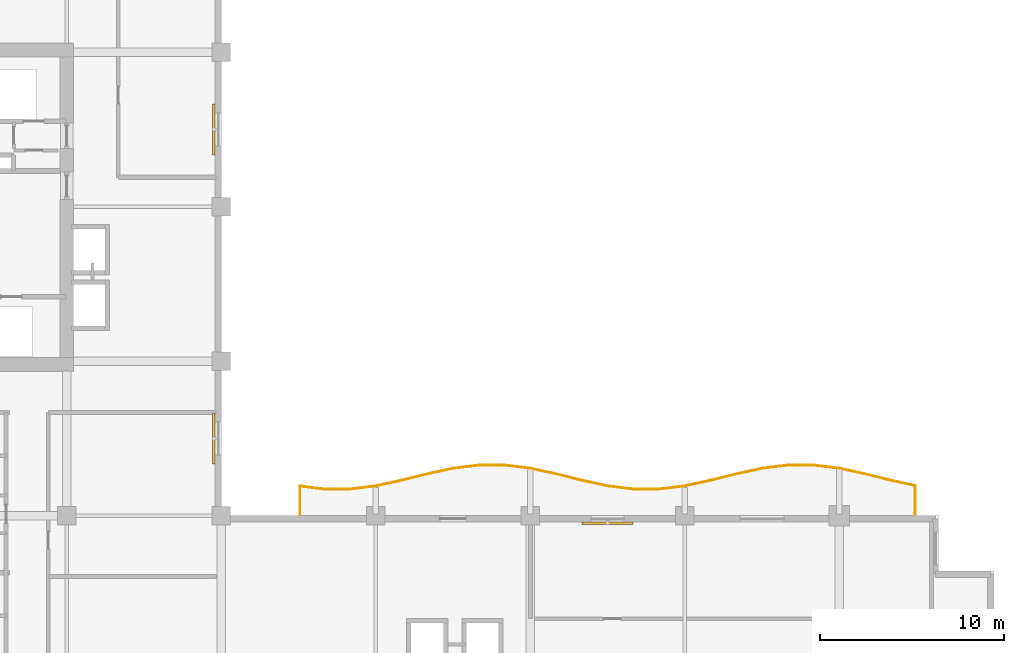
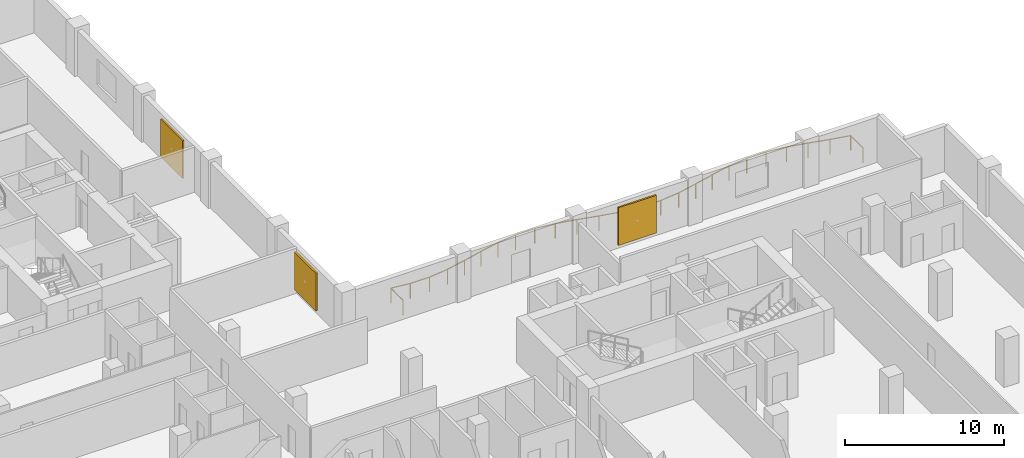
# One storey, part 16 of 16: 3 shading devices, 1 railing.
"""IFC4 building model written with IfcOpenShell, lengths in metres."""

from ifc_helpers import new_model, si_unit, direction, frame, origin, origin_2d, place, context, subcontext, project, spatial, rectangle, circle, extrude, material, layer, layer_set, type_object, element, save


model = new_model("IFC4")

# Units and contexts
model_context = context("Model", 3, precision=1e-05, world=origin(), true_north=direction((0.0, 1.0)))
body_context = subcontext(model_context, "Body", "Model", "MODEL_VIEW")
ifc_project = project(units=[si_unit("LENGTHUNIT", "METRE"), si_unit("AREAUNIT", "SQUARE_METRE"), si_unit("VOLUMEUNIT", "CUBIC_METRE"), si_unit("PLANEANGLEUNIT", "RADIAN"), si_unit("MASSUNIT", "GRAM", prefix="KILO")], contexts=[model_context])

# Site, building, storey
site_placement = place(None, origin())
site = spatial("IfcSite", under=ifc_project, at=site_placement, CompositionType="ELEMENT")
building_placement = place(site_placement, origin())
building = spatial("IfcBuilding", under=site, at=building_placement, Name="Koriwani Terraces Tower", CompositionType="ELEMENT")
storey_placement = place(building_placement, frame((0.0, 0.0, 179.10009765625)))
storey = spatial("IfcBuildingStorey", under=building, at=storey_placement, Name="L43", CompositionType="ELEMENT", Elevation=179.10009765625)

# Railing
ifc_material_1 = material(Name="Steel ASTM A572 Grade 50", Category="steel")
railing_type = type_object("IfcRailingType", Name="GUARD_BALUSTRADE_1150", PredefinedType="BALUSTRADE", material=ifc_material_1)
railing_placement = place(storey_placement, frame((71.320068359375, 33.679931640625, 0.0)))
element("IfcRailing", 1, at=railing_placement, inside=storey, type_object=railing_type, Name="L43 Balcony Perimeter Safety Balustrade (NE)", PredefinedType="BALUSTRADE", context=body_context, shape_type="SweptSolid", body=[
    extrude(circle(Radius=0.02392578125, at=origin_2d()), frame((0.0, 0.0, 1.1259765625), z_axis=(0.0, 1.0, 0.0), x_axis=(-1.0, 0.0, 0.0)), (0.0, 0.0, 1.0), 1.55322265625),
    extrude(circle(Radius=0.02392578125, at=origin_2d()), frame((0.0, 1.55322265625, 1.1259765625), z_axis=(-0.977417151998, 0.211318979222, 0.0), x_axis=(-0.211318979222, -0.977417151998, 0.0)), (0.0, 0.0, 1.0), 1.369140625),
    extrude(circle(Radius=0.02392578125, at=origin_2d()), frame((-1.338134765625, 1.842529296875, 1.1259765625), z_axis=(-0.970251871253, 0.242097720621, 0.0), x_axis=(-0.242097720621, -0.970251871253, 0.0)), (0.0, 0.0, 1.0), 1.443115234375),
    extrude(circle(Radius=0.02392578125, at=origin_2d()), frame((-2.73828125, 2.19189453125, 1.1259765625), z_axis=(-0.977438029446, 0.211222391315, 0.0), x_axis=(-0.211222391315, -0.977438029446, 0.0)), (0.0, 0.0, 1.0), 1.427490234375),
    extrude(circle(Radius=0.02392578125, at=origin_2d()), frame((-4.133544921875, 2.493408203125, 1.1259765625), z_axis=(-0.992309982997, 0.123777613669, 0.0), x_axis=(-0.123777613669, -0.992309982997, 0.0)), (0.0, 0.0, 1.0), 1.40234375),
    extrude(circle(Radius=0.02392578125, at=origin_2d()), frame((-5.525146484375, 2.6669921875, 1.1259765625), z_axis=(-1.0, 0.0, 0.0), x_axis=(0.0, -1.0, 0.0)), (0.0, 0.0, 1.0), 1.389892578125),
    extrude(circle(Radius=0.02392578125, at=origin_2d()), frame((-6.9150390625, 2.6669921875, 1.1259765625), z_axis=(-0.992309982997, -0.123777613669, 0.0), x_axis=(0.123777613669, -0.992309982997, 0.0)), (0.0, 0.0, 1.0), 1.40234375),
    extrude(circle(Radius=0.02392578125, at=origin_2d()), frame((-8.306640625, 2.493408203125, 1.1259765625), z_axis=(-0.977438029446, -0.211222391315, 0.0), x_axis=(0.211222391315, -0.977438029446, 0.0)), (0.0, 0.0, 1.0), 1.427490234375),
    extrude(circle(Radius=0.02392578125, at=origin_2d()), frame((-9.701904296875, 2.19189453125, 1.1259765625), z_axis=(-0.970251871253, -0.242097720621, 0.0), x_axis=(0.242097720621, -0.970251871253, 0.0)), (0.0, 0.0, 1.0), 1.443115234375),
    extrude(circle(Radius=0.02392578125, at=origin_2d()), frame((-11.10205078125, 1.842529296875, 1.1259765625), z_axis=(-0.977445455552, -0.211188023857, 0.0), x_axis=(0.211188023857, -0.977445455552, 0.0)), (0.0, 0.0, 1.0), 1.43701171875),
    extrude(circle(Radius=0.02392578125, at=origin_2d()), frame((-12.506591796875, 1.5390625, 1.1259765625), z_axis=(-0.992301674614, -0.12384420276, 0.0), x_axis=(0.12384420276, -0.992301674614, 0.0)), (0.0, 0.0, 1.0), 1.41943359375),
    extrude(circle(Radius=0.02392578125, at=origin_2d()), frame((-13.9150390625, 1.36328125, 1.1259765625), z_axis=(-1.0, 0.0, 0.0), x_axis=(0.0, -1.0, 0.0)), (0.0, 0.0, 1.0), 1.409912109375),
    extrude(circle(Radius=0.02392578125, at=origin_2d()), frame((-15.324951171875, 1.36328125, 1.1259765625), z_axis=(-0.992301674614, 0.12384420276, 0.0), x_axis=(-0.12384420276, -0.992301674614, 0.0)), (0.0, 0.0, 1.0), 1.41943359375),
    extrude(circle(Radius=0.02392578125, at=origin_2d()), frame((-16.7333984375, 1.5390625, 1.1259765625), z_axis=(-0.977453031353, 0.21115295759, 0.0), x_axis=(-0.21115295759, -0.977453031353, 0.0)), (0.0, 0.0, 1.0), 1.437255859375),
    extrude(circle(Radius=0.02392578125, at=origin_2d()), frame((-18.13818359375, 1.842529296875, 1.1259765625), z_axis=(-0.970241952903, 0.242137466795, 0.0), x_axis=(-0.242137466795, -0.970241952903, 0.0)), (0.0, 0.0, 1.0), 1.44287109375),
    extrude(circle(Radius=0.02392578125, at=origin_2d()), frame((-19.5380859375, 2.19189453125, 1.1259765625), z_axis=(-0.977438029446, 0.211222391315, 0.0), x_axis=(-0.211222391315, -0.977438029446, 0.0)), (0.0, 0.0, 1.0), 1.427490234375),
    extrude(circle(Radius=0.02392578125, at=origin_2d()), frame((-20.933349609375, 2.493408203125, 1.1259765625), z_axis=(-0.992309982997, 0.123777613669, 0.0), x_axis=(-0.123777613669, -0.992309982997, 0.0)), (0.0, 0.0, 1.0), 1.40234375),
    extrude(circle(Radius=0.02392578125, at=origin_2d()), frame((-22.324951171875, 2.6669921875, 1.1259765625), z_axis=(-1.0, 0.0, 0.0), x_axis=(0.0, -1.0, 0.0)), (0.0, 0.0, 1.0), 1.39013671875),
    extrude(circle(Radius=0.02392578125, at=origin_2d()), frame((-23.715087890625, 2.6669921875, 1.1259765625), z_axis=(-0.992309982997, -0.123777613669, 0.0), x_axis=(0.123777613669, -0.992309982997, 0.0)), (0.0, 0.0, 1.0), 1.40234375),
    extrude(circle(Radius=0.02392578125, at=origin_2d()), frame((-25.106689453125, 2.493408203125, 1.1259765625), z_axis=(-0.977438029446, -0.211222391315, 0.0), x_axis=(0.211222391315, -0.977438029446, 0.0)), (0.0, 0.0, 1.0), 1.427490234375),
    extrude(circle(Radius=0.02392578125, at=origin_2d()), frame((-26.501953125, 2.19189453125, 1.1259765625), z_axis=(-0.970241952903, -0.242137466795, 0.0), x_axis=(0.242137466795, -0.970241952903, 0.0)), (0.0, 0.0, 1.0), 1.44287109375),
    extrude(circle(Radius=0.02392578125, at=origin_2d()), frame((-27.90185546875, 1.842529296875, 1.1259765625), z_axis=(-0.977453031353, -0.21115295759, 0.0), x_axis=(0.21115295759, -0.977453031353, 0.0)), (0.0, 0.0, 1.0), 1.437255859375),
    extrude(circle(Radius=0.02392578125, at=origin_2d()), frame((-29.306640625, 1.5390625, 1.1259765625), z_axis=(-0.992301674614, -0.12384420276, 0.0), x_axis=(0.12384420276, -0.992301674614, 0.0)), (0.0, 0.0, 1.0), 1.41943359375),
    extrude(circle(Radius=0.02392578125, at=origin_2d()), frame((-30.715087890625, 1.36328125, 1.1259765625), z_axis=(-1.0, 0.0, 0.0), x_axis=(0.0, -1.0, 0.0)), (0.0, 0.0, 1.0), 1.409912109375),
    extrude(circle(Radius=0.02392578125, at=origin_2d()), frame((-32.125, 1.36328125, 1.1259765625), z_axis=(-0.992331628798, 0.123603958219, 0.0), x_axis=(-0.123603958219, -0.992331628798, 0.0)), (0.0, 0.0, 1.0), 1.325439453125),
    extrude(circle(Radius=0.02392578125, at=origin_2d()), frame((-33.440185546875, 1.527099609375, 1.1259765625), z_axis=(0.0, -1.0, 0.0), x_axis=(1.0, 0.0, 0.0)), (0.0, 0.0, 1.0), 1.527099609375),
    extrude(circle(Radius=0.02099609375, at=origin_2d()), origin(), (0.0, 0.0, 1.0), 1.101806640625),
    extrude(circle(Radius=0.02099609375, at=origin_2d()), frame((0.0, 1.55322265625, 0.0)), (0.0, 0.0, 1.0), 1.101806640625),
    extrude(circle(Radius=0.02099609375, at=origin_2d()), frame((-1.338134765625, 1.842529296875, 0.0)), (0.0, 0.0, 1.0), 1.101806640625),
    extrude(circle(Radius=0.02099609375, at=origin_2d()), frame((-2.73828125, 2.19189453125, 0.0)), (0.0, 0.0, 1.0), 1.101806640625),
    extrude(circle(Radius=0.02099609375, at=origin_2d()), frame((-4.133544921875, 2.493408203125, 0.0)), (0.0, 0.0, 1.0), 1.101806640625),
    extrude(circle(Radius=0.02099609375, at=origin_2d()), frame((-5.525146484375, 2.6669921875, 0.0)), (0.0, 0.0, 1.0), 1.101806640625),
    extrude(circle(Radius=0.02099609375, at=origin_2d()), frame((-6.9150390625, 2.6669921875, 0.0)), (0.0, 0.0, 1.0), 1.101806640625),
    extrude(circle(Radius=0.02099609375, at=origin_2d()), frame((-8.306640625, 2.493408203125, 0.0)), (0.0, 0.0, 1.0), 1.101806640625),
    extrude(circle(Radius=0.02099609375, at=origin_2d()), frame((-9.701904296875, 2.19189453125, 0.0)), (0.0, 0.0, 1.0), 1.101806640625),
    extrude(circle(Radius=0.02099609375, at=origin_2d()), frame((-11.10205078125, 1.842529296875, 0.0)), (0.0, 0.0, 1.0), 1.101806640625),
    extrude(circle(Radius=0.02099609375, at=origin_2d()), frame((-12.506591796875, 1.5390625, 0.0)), (0.0, 0.0, 1.0), 1.101806640625),
    extrude(circle(Radius=0.02099609375, at=origin_2d()), frame((-13.9150390625, 1.36328125, 0.0)), (0.0, 0.0, 1.0), 1.101806640625),
    extrude(circle(Radius=0.02099609375, at=origin_2d()), frame((-15.324951171875, 1.36328125, 0.0)), (0.0, 0.0, 1.0), 1.101806640625),
    extrude(circle(Radius=0.02099609375, at=origin_2d()), frame((-16.7333984375, 1.5390625, 0.0)), (0.0, 0.0, 1.0), 1.101806640625),
    extrude(circle(Radius=0.02099609375, at=origin_2d()), frame((-18.13818359375, 1.842529296875, 0.0)), (0.0, 0.0, 1.0), 1.101806640625),
    extrude(circle(Radius=0.02099609375, at=origin_2d()), frame((-19.5380859375, 2.19189453125, 0.0)), (0.0, 0.0, 1.0), 1.101806640625),
    extrude(circle(Radius=0.02099609375, at=origin_2d()), frame((-20.933349609375, 2.493408203125, 0.0)), (0.0, 0.0, 1.0), 1.101806640625),
    extrude(circle(Radius=0.02099609375, at=origin_2d()), frame((-22.324951171875, 2.6669921875, 0.0)), (0.0, 0.0, 1.0), 1.101806640625),
    extrude(circle(Radius=0.02099609375, at=origin_2d()), frame((-23.715087890625, 2.6669921875, 0.0)), (0.0, 0.0, 1.0), 1.101806640625),
    extrude(circle(Radius=0.02099609375, at=origin_2d()), frame((-25.106689453125, 2.493408203125, 0.0)), (0.0, 0.0, 1.0), 1.101806640625),
    extrude(circle(Radius=0.02099609375, at=origin_2d()), frame((-26.501953125, 2.19189453125, 0.0)), (0.0, 0.0, 1.0), 1.101806640625),
    extrude(circle(Radius=0.02099609375, at=origin_2d()), frame((-27.90185546875, 1.842529296875, 0.0)), (0.0, 0.0, 1.0), 1.101806640625),
    extrude(circle(Radius=0.02099609375, at=origin_2d()), frame((-29.306640625, 1.5390625, 0.0)), (0.0, 0.0, 1.0), 1.101806640625),
    extrude(circle(Radius=0.02099609375, at=origin_2d()), frame((-30.715087890625, 1.36328125, 0.0)), (0.0, 0.0, 1.0), 1.101806640625),
    extrude(circle(Radius=0.02099609375, at=origin_2d()), frame((-32.125, 1.36328125, 0.0)), (0.0, 0.0, 1.0), 1.101806640625),
    extrude(circle(Radius=0.02099609375, at=origin_2d()), frame((-33.440185546875, 1.527099609375, 0.0)), (0.0, 0.0, 1.0), 1.101806640625),
    extrude(circle(Radius=0.02099609375, at=origin_2d()), frame((-33.440185546875, 0.0, 0.0)), (0.0, 0.0, 1.0), 1.101806640625),
])

# Shading devices
ifc_material_2 = material(Name="Extruded Terracotta Clay", Category="masonry")
ifc_layer = layer(ifc_material_2, 0.1201171875, Name="Extruded Terracotta Clay")
ifc_layer_set = layer_set([ifc_layer], Name="Extruded Terracotta Clay")
shading_device_type = type_object("IfcShadingDeviceType", Name="TERRACOTTA_BAGUETTE_SCREEN_2800", PredefinedType="USERDEFINED", material=ifc_layer_set)
for number, where, z_axis, x_axis, name in (
    (2, (33.195068359375, 37.800048828125, 0.284912109375), (0.0, 0.0, 1.0), (0.0, -1.0, 0.0), "L43 Extruded Terracotta Baguette Screen (NW_IN-2)"),
    (3, (33.195068359375, 54.60009765625, 0.284912109375), (0.0, 0.0, 1.0), (0.0, -1.0, 0.0), "L43 Extruded Terracotta Baguette Screen (NW_IN-8)"),
    (4, (54.60009765625, 33.195068359375, 0.284912109375), (0.0, 0.0, 1.0), (1.0, 0.0, 0.0), "L43 Extruded Terracotta Baguette Screen (NE-8)"),
):
    element("IfcShadingDevice", number, at=place(storey_placement, frame(where, z_axis=z_axis, x_axis=x_axis)), inside=storey, type_object=shading_device_type, Name=name, ObjectType="BAGUETTE", PredefinedType="USERDEFINED", context=body_context, shape_type="SweptSolid", body=[
        extrude(rectangle(XDim=2.760009765625, YDim=0.1201171875, at=origin_2d()), origin(), (0.0, 0.0, 1.0), 2.89990234375),
    ])

save(model, "model.ifc")
